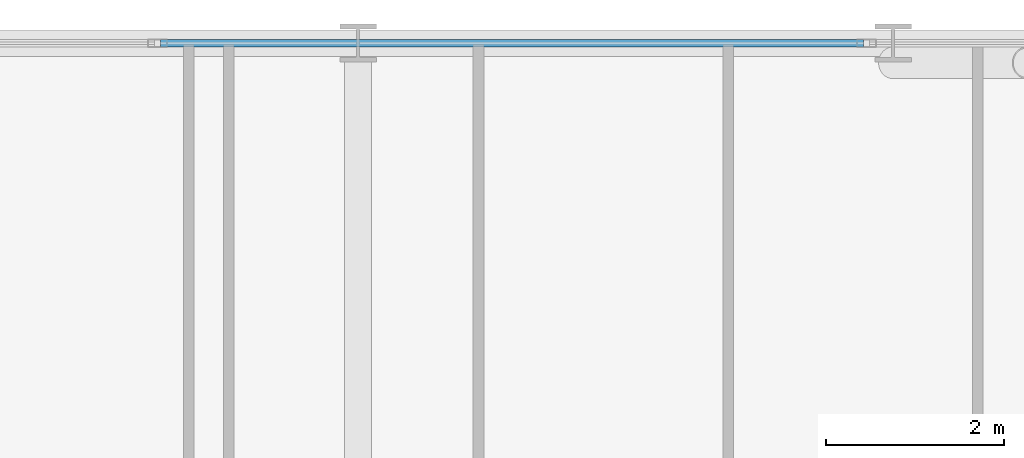
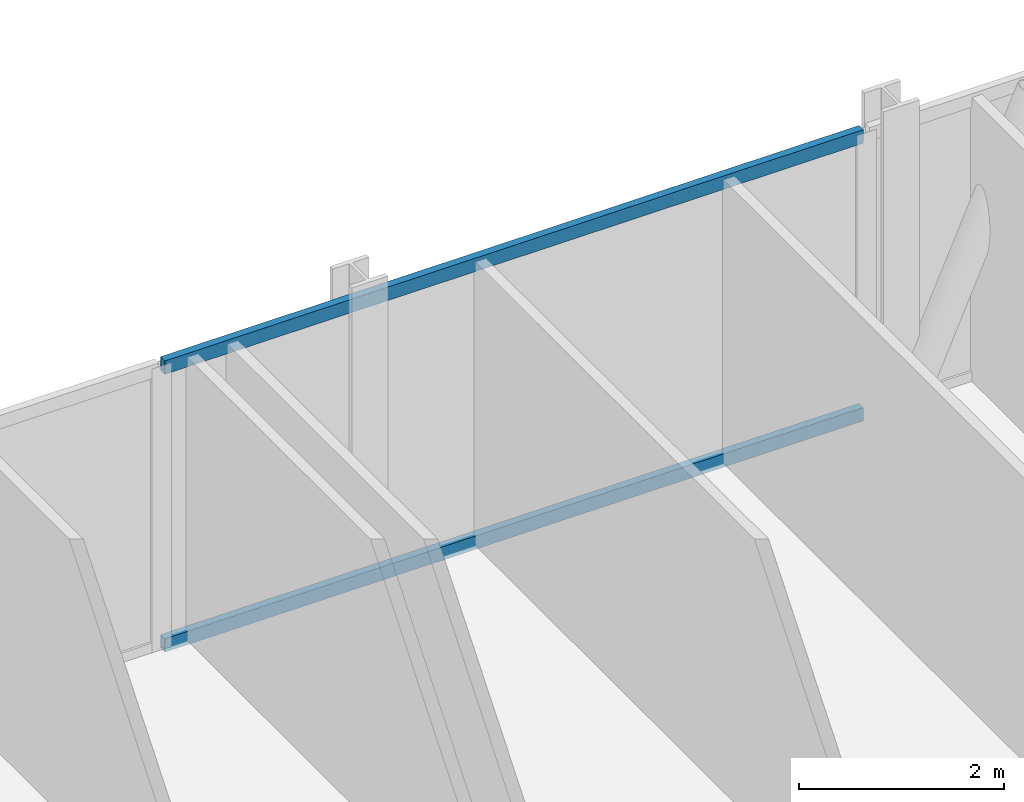
# One storey, part 14 of 34: 2 members, 1 element without a shape of its own.
"""IFC4 building model written with IfcOpenShell, lengths in metres."""

from ifc_helpers import new_model, si_unit, direction, frame, origin, origin_2d, place, context, subcontext, project, spatial, hollow_rectangle, extrude, material, layer, layer_set, material_profile, profile_set, type_object, element, aggregate, save


model = new_model("IFC4")

# Units and contexts
model_context = context("Model", 3, precision=1e-05, world=origin(), true_north=direction((0.0, 1.0)))
body_context = subcontext(model_context, "Body", "Model", "MODEL_VIEW")
ifc_project = project(units=[si_unit("LENGTHUNIT", "METRE"), si_unit("AREAUNIT", "SQUARE_METRE"), si_unit("VOLUMEUNIT", "CUBIC_METRE"), si_unit("PLANEANGLEUNIT", "RADIAN"), si_unit("MASSUNIT", "GRAM", prefix="KILO")], contexts=[model_context])

# Site, building, storey
site_placement = place(None, origin())
site = spatial("IfcSite", under=ifc_project, at=site_placement, CompositionType="ELEMENT")
building_placement = place(site_placement, origin())
building = spatial("IfcBuilding", under=site, at=building_placement, Name="Keshet Zoharim Tower", CompositionType="ELEMENT")
storey_placement = place(building_placement, frame((0.0, 0.0, 46.199951171875)))
storey = spatial("IfcBuildingStorey", under=building, at=storey_placement, Name="L10", CompositionType="ELEMENT", Elevation=46.199951171875)

# Curtain wall, members
ifc_material = material(Name="Aluminium 6063-T6", Category="aluminium")
ifc_layer = layer(ifc_material, 0.169921875)
ifc_layer_set = layer_set([ifc_layer], Name="Aluminium 6063-T6")
curtain_wall_type = type_object("IfcCurtainWallType", Name="CW-SYS-02", PredefinedType="NOTDEFINED", material=ifc_layer_set)
curtain_wall_placement = place(storey_placement, origin())
curtain_wall = element("IfcCurtainWall", 1, at=curtain_wall_placement, inside=storey, type_object=curtain_wall_type, Name="L10 Unitised Curtain Wall 07 Part 3", PredefinedType="NOTDEFINED")
ifc_material_profile = material_profile(ifc_material, hollow_rectangle(XDim=0.0849609375, YDim=0.159912109375, WallThickness=0.00439453125, at=origin_2d()), Name="TRN-85x160")
ifc_profile_set = profile_set([ifc_material_profile], Name="Aluminium 6063-T6")
member_type = type_object("IfcMemberType", Name="CWT-T16", PredefinedType="USERDEFINED", material=ifc_profile_set)
member_1_placement = place(storey_placement, frame((30.784912109375, 53.89990234375, 0.03515625), z_axis=(1.0, 0.0, 0.0), x_axis=(0.0, 1.0, 0.0)))
member_1 = element("IfcMember", 2, at=member_1_placement, type_object=member_type, Name="CW-02 transom 2.1", ObjectType="TRANSOM", PredefinedType="USERDEFINED", context=body_context, shape_type="SweptSolid", body=[
    extrude(hollow_rectangle(XDim=0.0849609375, YDim=0.159912109375, WallThickness=0.00439453125, at=origin_2d()), origin(), (0.0, 0.0, 1.0), 7.882568359375),
])
member_2_placement = place(storey_placement, frame((30.784912109375, 53.89990234375, 3.35009765625), z_axis=(1.0, 0.0, 0.0), x_axis=(0.0, 1.0, 0.0)))
member_2 = element("IfcMember", 3, at=member_2_placement, type_object=member_type, Name="CW-02 transom 2.2", ObjectType="TRANSOM", PredefinedType="USERDEFINED", context=body_context, shape_type="SweptSolid", body=[
    extrude(hollow_rectangle(XDim=0.0849609375, YDim=0.159912109375, WallThickness=0.00439453125, at=origin_2d()), origin(), (0.0, 0.0, 1.0), 7.882568359375),
])
aggregate(curtain_wall, [member_1, member_2])

save(model, "model.ifc")
